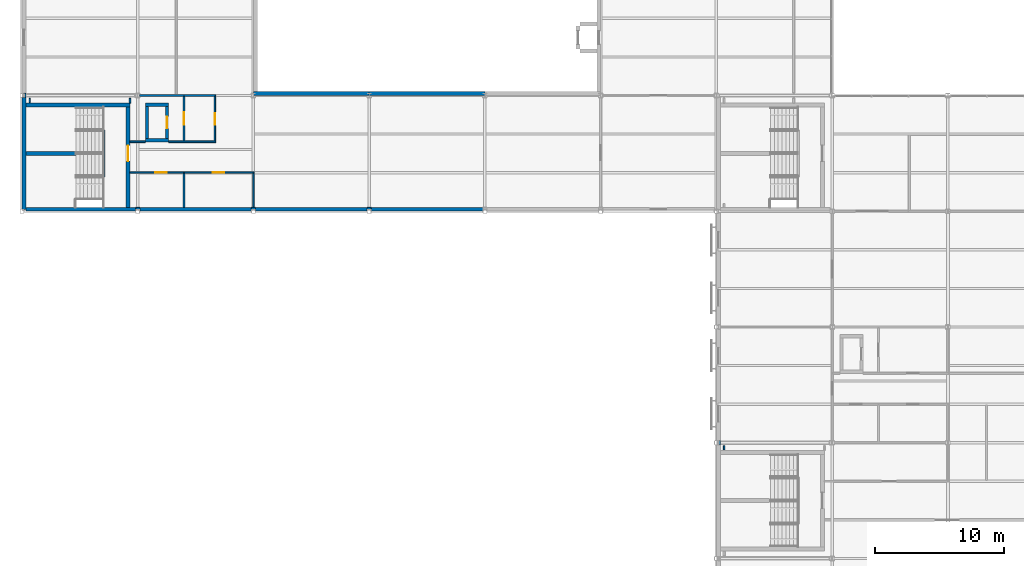
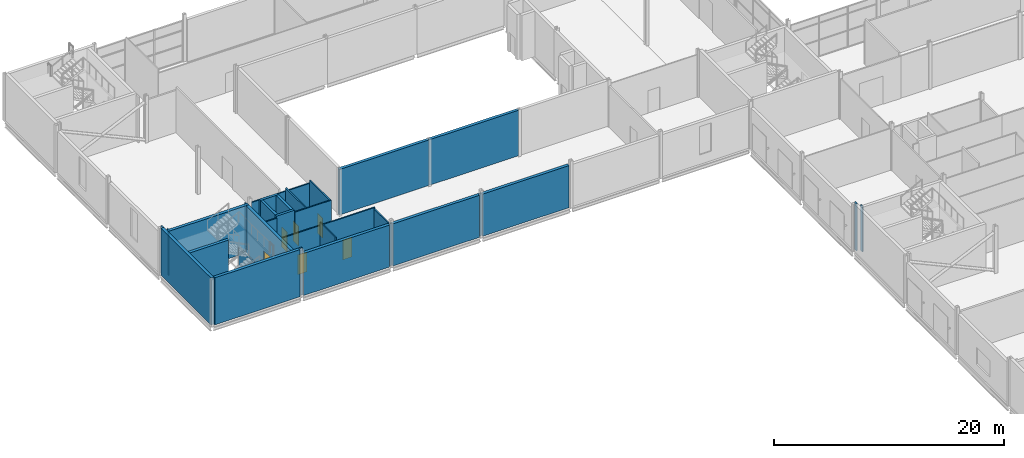
# One storey, part 76 of 112: 31 walls, 6 doors, 6 openings.
"""IFC4 building model written with IfcOpenShell, lengths in metres."""

import ifcopenshell
import ifcopenshell.guid

model = None  # the IFC model being written
_history = None  # IfcOwnerHistory: only IFC2X3 demands one
_inside = {}  # id of a spatial element -> (the spatial element, [elements in it])
_under = {}  # id of a project, library or spatial element -> (it, [spatial elements below it])
_declared = {}  # id of a project -> (the project, [libraries it declares])
_typed = {}  # id of a type object -> (the type object, [elements of that type])
_made_of = {}  # id of a material, layer set ... -> (it, [elements and type objects made of it])


def new_model(schema):
    """Start an empty IFC model of exactly this schema.

    Asked for "IFC4X3", IfcOpenShell would pick the latest addendum, in which some entities
    have other attributes; the version numbers below select the first issue.
    IFC2X3 requires an IfcOwnerHistory on every rooted entity: one is made here for all.
    """
    global model, _history
    if schema == "IFC4X3":
        model = ifcopenshell.file(schema_version=(4, 3, 0, 0))
    else:
        model = ifcopenshell.file(schema=schema)
    _inside.clear()
    _under.clear()
    _declared.clear()
    _typed.clear()
    _made_of.clear()
    _history = None
    if model.schema == "IFC2X3":
        org = make("IfcOrganization", Name="unknown")
        user = make(
            "IfcPersonAndOrganization",
            ThePerson=make("IfcPerson", FamilyName="unknown"),
            TheOrganization=org,
        )
        app = make(
            "IfcApplication",
            ApplicationDeveloper=org,
            Version="unknown",
            ApplicationFullName="unknown",
            ApplicationIdentifier="unknown",
        )
        _history = make(
            "IfcOwnerHistory",
            OwningUser=user,
            OwningApplication=app,
            ChangeAction="ADDED",
            CreationDate=0,
        )
    return model


def make(cls, **values):
    """One entity of the class cls with the attributes given. An attribute that is None is left unset."""
    return model.create_entity(
        cls, **{name: value for name, value in values.items() if value is not None}
    )


def rooted(cls, **values):
    """An entity with a GlobalId (a new one), such as an element, a storey or a relation."""
    return make(cls, GlobalId=ifcopenshell.guid.new(), OwnerHistory=_history, **values)


def si_unit(unit_type, name, prefix=None):
    """IfcSIUnit, for example si_unit("LENGTHUNIT", "METRE", prefix="MILLI")."""
    return make("IfcSIUnit", UnitType=unit_type, Prefix=prefix, Name=name)


def assignment(units):
    """IfcUnitAssignment: the units of a project."""
    return None if units is None else make("IfcUnitAssignment", Units=units)


def point(xyz):
    """IfcCartesianPoint."""
    return None if xyz is None else make("IfcCartesianPoint", Coordinates=xyz)


def direction(xyz):
    """IfcDirection."""
    return None if xyz is None else make("IfcDirection", DirectionRatios=xyz)


def frame(location, z_axis=None, x_axis=None):
    """IfcAxis2Placement3D, a coordinate frame: its origin and axes. An axis left out is left unset."""
    return make(
        "IfcAxis2Placement3D",
        Location=point(location),
        Axis=direction(z_axis),
        RefDirection=direction(x_axis),
    )


def frame_2d(location, x_axis=None):
    """IfcAxis2Placement2D, a coordinate frame in the plane: its origin and x axis."""
    return make(
        "IfcAxis2Placement2D", Location=point(location), RefDirection=direction(x_axis)
    )


def origin():
    """The frame at (0, 0, 0) with its axes left unset."""
    return frame((0.0, 0.0, 0.0))


def place(relative_to, where):
    """IfcLocalPlacement: puts the frame where relative to a parent placement (None: the world)."""
    return make(
        "IfcLocalPlacement", PlacementRelTo=relative_to, RelativePlacement=where
    )


def context(
    kind, dimensions, precision=None, world=None, true_north=None, identifier=None
):
    """IfcGeometricRepresentationContext, for example the 3D "Model" context."""
    return make(
        "IfcGeometricRepresentationContext",
        ContextIdentifier=identifier,
        ContextType=kind,
        CoordinateSpaceDimension=dimensions,
        Precision=precision,
        WorldCoordinateSystem=world,
        TrueNorth=true_north,
    )


def subcontext(parent, identifier, kind, view, scale=None):
    """IfcGeometricRepresentationSubContext, for example "Body" below "Model"."""
    return make(
        "IfcGeometricRepresentationSubContext",
        ContextIdentifier=identifier,
        ContextType=kind,
        ParentContext=parent,
        TargetScale=scale,
        TargetView=view,
    )


def project(units=None, contexts=None):
    """IfcProject with its units and contexts."""
    return rooted(
        "IfcProject",
        Name="project",
        RepresentationContexts=contexts,
        UnitsInContext=assignment(units),
    )


def spatial(cls, under=None, at=None, **own):
    """A site, building, storey or space (cls), placed at a placement, below another one or the project."""
    s = rooted(cls, ObjectPlacement=at, **own)
    if under is not None:
        _under.setdefault(under.id(), (under, []))[1].append(s)
    return s


def profile(cls, at=None, kind="AREA", **sizes):
    """A parametric profile (cls). Its sizes go by their IFC names, for example OverallWidth=200.0."""
    return make(cls, ProfileType=kind, Position=at, **sizes)


def rectangle(**sizes):
    """IfcRectangleProfileDef."""
    return profile("IfcRectangleProfileDef", **sizes)


def extrude(swept, where, along, depth):
    """IfcExtrudedAreaSolid: the profile swept, set in the frame where, extruded along a direction by depth."""
    return make(
        "IfcExtrudedAreaSolid",
        SweptArea=swept,
        Position=where,
        ExtrudedDirection=direction(along),
        Depth=depth,
    )


def shape(context_of_items, identifier, shape_type, items):
    """IfcShapeRepresentation: the items that make up one representation, for example the "Body"."""
    return make(
        "IfcShapeRepresentation",
        ContextOfItems=context_of_items,
        RepresentationIdentifier=identifier,
        RepresentationType=shape_type,
        Items=items,
    )


def material(Name=None, Category=None):
    """IfcMaterial."""
    return make("IfcMaterial", Name=Name, Category=Category)


def layer(
    of_material, thickness, ventilated=None, Name=None, Category=None, Priority=None
):
    """IfcMaterialLayer: one layer of a wall or slab, of a material (None: an air gap)."""
    return make(
        "IfcMaterialLayer",
        Material=of_material,
        LayerThickness=thickness,
        IsVentilated=ventilated,
        Name=Name,
        Category=Category,
        Priority=Priority,
    )


def layer_set(layers, Name=None):
    """IfcMaterialLayerSet."""
    return make("IfcMaterialLayerSet", MaterialLayers=layers, LayerSetName=Name)


def made_of(thing, what):
    """Note that an element or type object is made of a material, layer set ...; save() writes the relation."""
    if what is not None:
        _made_of.setdefault(what.id(), (what, []))[1].append(thing)
    return thing


def type_object(cls, material=None, **own):
    """A type object (cls), such as IfcWallType, which elements share."""
    return made_of(rooted(cls, **own), material)


def element(
    cls,
    number,
    at=None,
    inside=None,
    cuts=None,
    type_object=None,
    material=None,
    context=None,
    identifier="Body",
    shape_type=None,
    held_by="IfcProductDefinitionShape",
    body=None,
    shapes=None,
    **own,
):
    """One element of the class cls, such as IfcWall. Its Tag is "e" and its number.

    at: its placement. inside: the storey or other place that contains it. cuts: it is an
    opening in that element (IfcRelVoidsElement). A single representation is given by context,
    identifier, shape_type and body (its items); several are given by shapes. held_by: the class
    of the entity that holds the representations. save() writes the other relations.
    """
    e = rooted(cls, Tag="e%d" % number, ObjectPlacement=at, **own)
    if body is not None:
        shapes = [shape(context, identifier, shape_type, body)]
    if shapes is not None:
        e.Representation = make(held_by, Representations=shapes)
    if inside is not None:
        _inside.setdefault(inside.id(), (inside, []))[1].append(e)
    if cuts is not None:
        rooted(
            "IfcRelVoidsElement", RelatingBuildingElement=cuts, RelatedOpeningElement=e
        )
    if type_object is not None:
        _typed.setdefault(type_object.id(), (type_object, []))[1].append(e)
    return made_of(e, material)


def fill(opening, filler):
    """IfcRelFillsElement: the door or window that sits in an opening."""
    return rooted(
        "IfcRelFillsElement",
        RelatingOpeningElement=opening,
        RelatedBuildingElement=filler,
    )


def aggregate(whole, parts):
    """IfcRelAggregates: a whole, such as a stair, and the parts it consists of."""
    return rooted("IfcRelAggregates", RelatingObject=whole, RelatedObjects=parts)


def save(model, path):
    """Write the relations noted so far, then the file.

    IfcRelAggregates (storeys below a building ...), IfcRelContainedInSpatialStructure (elements
    in a storey), IfcRelDefinesByType, IfcRelAssociatesMaterial and IfcRelDeclares: one each for
    every whole, place, type object, material and project.
    """
    for whole, parts in _under.values():
        aggregate(whole, parts)
    for where, things in _inside.values():
        rooted(
            "IfcRelContainedInSpatialStructure",
            RelatedElements=things,
            RelatingStructure=where,
        )
    for kind, things in _typed.values():
        rooted("IfcRelDefinesByType", RelatedObjects=things, RelatingType=kind)
    for what, things in _made_of.values():
        rooted("IfcRelAssociatesMaterial", RelatedObjects=things, RelatingMaterial=what)
    for by, libraries in _declared.values():
        rooted("IfcRelDeclares", RelatingContext=by, RelatedDefinitions=libraries)
    model.write(path)


model = new_model("IFC4")

# Units and contexts
model_context = context("Model", 3, precision=1e-05, world=origin(), true_north=direction((0.0, 1.0)))
body_context = subcontext(model_context, "Body", "Model", "MODEL_VIEW")
ifc_project = project(units=[si_unit("LENGTHUNIT", "METRE"), si_unit("AREAUNIT", "SQUARE_METRE"), si_unit("VOLUMEUNIT", "CUBIC_METRE"), si_unit("PLANEANGLEUNIT", "RADIAN"), si_unit("MASSUNIT", "GRAM", prefix="KILO")], contexts=[model_context])

# Site, building, storey
site_placement = place(None, origin())
site = spatial("IfcSite", under=ifc_project, at=site_placement, CompositionType="ELEMENT")
building_placement = place(site_placement, origin())
building = spatial("IfcBuilding", under=site, at=building_placement, Name="Shorebreak Coast Museum", CompositionType="ELEMENT")
storey_placement = place(building_placement, frame((0.0, 0.0, 6.0)))
storey = spatial("IfcBuildingStorey", under=building, at=storey_placement, Name="L01", CompositionType="ELEMENT", Elevation=6.0)

# Walls
ifc_material_1 = material(Name="Concrete N50 (50 MPa)", Category="concrete")
ifc_layer_1 = layer(ifc_material_1, 0.14990234375)
ifc_layer_set_1 = layer_set([ifc_layer_1], Name="Concrete N50 (50 MPa)")
wall_type_1 = type_object("IfcWallType", Name="Column closure panel 150", PredefinedType="SOLIDWALL", material=ifc_layer_set_1)
wall_1_placement = place(storey_placement, frame((8.85009765625, 54.22509765625, 0.0), z_axis=(0.0, 0.0, 1.0), x_axis=(1.0, 0.0, 0.0)))
element("IfcWall", 1, at=wall_1_placement, inside=storey, type_object=wall_type_1, Name="Column closure panel L01 S 2G", PredefinedType="SOLIDWALL", context=body_context, shape_type="SweptSolid", body=[
    extrude(rectangle(XDim=0.322021484375, YDim=0.14990234375, at=frame_2d((0.1611328125, 0.0))), origin(), (0.0, 0.0, 1.0), 5.0),
])
for number, where, z_axis, x_axis, name in (
    (2, (17.839111328125, 54.22509765625, 0.0), (0.0, 0.0, 1.0), (1.0, 0.0, 0.0), "Column closure panel L01 S 3G"),
    (3, (26.839111328125, 54.22509765625, 0.0), (0.0, 0.0, 1.0), (1.0, 0.0, 0.0), "Column closure panel L01 S 4G"),
):
    element("IfcWall", number, at=place(storey_placement, frame(where, z_axis=z_axis, x_axis=x_axis)), inside=storey, type_object=wall_type_1, Name=name, PredefinedType="SOLIDWALL", context=body_context, shape_type="SweptSolid", body=[
        extrude(rectangle(XDim=0.32177734375, YDim=0.14990234375, at=frame_2d((0.160888671875, 0.0))), origin(), (0.0, 0.0, 1.0), 4.469482421875),
    ])
for number, where, z_axis, x_axis, name in (
    (4, (0.22509765625, 62.85009765625, 0.0), (0.0, 0.0, 1.0), (0.0, 1.0, 0.0), "Column closure panel L01 W 1H"),
    (5, (54.22509765625, 35.85009765625, 0.0), (0.0, 0.0, 1.0), (0.0, 1.0, 0.0), "Column closure panel L01 W 7E"),
):
    element("IfcWall", number, at=place(storey_placement, frame(where, z_axis=z_axis, x_axis=x_axis)), inside=storey, type_object=wall_type_1, Name=name, PredefinedType="SOLIDWALL", context=body_context, shape_type="SweptSolid", body=[
        extrude(rectangle(XDim=0.322021484375, YDim=0.14990234375, at=frame_2d((0.1611328125, 0.0))), origin(), (0.0, 0.0, 1.0), 5.0),
    ])
ifc_material_2 = material(Name="Plasterboard on steel stud", Category="steel")
ifc_layer_2 = layer(ifc_material_2, 0.10009765625)
ifc_layer_set_2 = layer_set([ifc_layer_2], Name="Plasterboard on steel stud")
wall_type_2 = type_object("IfcWallType", Name="Partition 100", PredefinedType="PARTITIONING", material=ifc_layer_set_2)
for number, where, z_axis, x_axis, name in (
    (6, (0.60009765625, 62.449951171875, 0.0), (0.0, 0.0, 1.0), (0.0, 1.0, 0.0), "Partition L01-085"),
    (7, (54.60009765625, 35.449951171875, 0.0), (0.0, 0.0, 1.0), (0.0, 1.0, 0.0), "Partition L01-100"),
):
    element("IfcWall", number, at=place(storey_placement, frame(where, z_axis=z_axis, x_axis=x_axis)), inside=storey, type_object=wall_type_2, Name=name, PredefinedType="PARTITIONING", context=body_context, shape_type="SweptSolid", body=[
        extrude(rectangle(XDim=0.330078125, YDim=0.10009765625, at=frame_2d((0.1650390625, 0.0))), origin(), (0.0, 0.0, 1.0), 4.824951171875),
    ])

# Wall, openings, doors
ifc_material_3 = material(Name="Plasterboard on steel stud", Category="steel")
ifc_layer_3 = layer(ifc_material_3, 0.125)
ifc_layer_set_3 = layer_set([ifc_layer_3], Name="Plasterboard on steel stud")
wall_type_3 = type_object("IfcWallType", Name="Partition 125", PredefinedType="PARTITIONING", material=ifc_layer_set_3)
wall_2_placement = place(storey_placement, frame((8.39990234375, 57.0, 0.0), z_axis=(0.0, 0.0, 1.0), x_axis=(1.0, 0.0, 0.0)))
wall_2 = element("IfcWall", 8, at=wall_2_placement, inside=storey, type_object=wall_type_3, Name="Partition L01-035", PredefinedType="PARTITIONING", context=body_context, shape_type="SweptSolid", body=[
    extrude(rectangle(XDim=9.66259765625, YDim=0.125, at=frame_2d((4.831298828125, 0.0))), origin(), (0.0, 0.0, 1.0), 4.469482421875),
])
opening_1_placement = place(wall_2_placement, frame((1.949951171875, 0.0, 0.0)))
opening_1 = element("IfcOpeningElement", 9, at=opening_1_placement, cuts=wall_2, Name="Opening D1045", PredefinedType="OPENING", context=body_context, shape_type="SweptSolid", body=[
    extrude(rectangle(XDim=0.89990234375, YDim=2.10009765625, at=frame_2d((0.449951171875, 1.050048828125))), frame((0.0, 0.072509765625, 0.0), z_axis=(0.0, -1.0, 0.0), x_axis=(1.0, 0.0, 0.0)), (0.0, 0.0, 1.0), 0.14501953125),
])
opening_2_placement = place(wall_2_placement, frame((6.449951171875, 0.0, 0.0)))
opening_2 = element("IfcOpeningElement", 10, at=opening_2_placement, cuts=wall_2, Name="Opening D1046", PredefinedType="OPENING", context=body_context, shape_type="SweptSolid", body=[
    extrude(rectangle(XDim=0.89990234375, YDim=2.10009765625, at=frame_2d((0.449951171875, 1.050048828125))), frame((0.0, 0.072509765625, 0.0), z_axis=(0.0, -1.0, 0.0), x_axis=(1.0, 0.0, 0.0)), (0.0, 0.0, 1.0), 0.14501953125),
])
ifc_material_4 = material(Name="Timber", Category="wood")
door_type_1 = type_object("IfcDoorType", Name="Interior door 900x2100", OperationType="SINGLE_SWING_LEFT", PredefinedType="DOOR", material=ifc_material_4)
door_1_placement = place(opening_1_placement, origin())
door_1 = element("IfcDoor", 11, at=door_1_placement, inside=storey, type_object=door_type_1, Name="Door D1045 Accessible WC W", OperationType="SINGLE_SWING_RIGHT", OverallHeight=2.10009765625, OverallWidth=0.89990234375, PredefinedType="DOOR", context=body_context, shape_type="SweptSolid", body=[
    extrude(rectangle(XDim=0.89990234375, YDim=2.10009765625, at=frame_2d((0.449951171875, 1.050048828125))), frame((0.0, 0.02490234375, 0.0), z_axis=(0.0, -1.0, 0.0), x_axis=(1.0, 0.0, 0.0)), (0.0, 0.0, 1.0), 0.050048828125),
])
fill(opening_1, door_1)
door_2_placement = place(opening_2_placement, origin())
door_2 = element("IfcDoor", 12, at=door_2_placement, inside=storey, type_object=door_type_1, Name="Door D1046 Male WC W", OperationType="SINGLE_SWING_RIGHT", OverallHeight=2.10009765625, OverallWidth=0.89990234375, PredefinedType="DOOR", context=body_context, shape_type="SweptSolid", body=[
    extrude(rectangle(XDim=0.89990234375, YDim=2.10009765625, at=frame_2d((0.449951171875, 1.050048828125))), frame((0.0, 0.02490234375, 0.0), z_axis=(0.0, -1.0, 0.0), x_axis=(1.0, 0.0, 0.0)), (0.0, 0.0, 1.0), 0.050048828125),
])
fill(opening_2, door_2)

# Walls
wall_3_placement = place(storey_placement, frame((8.39990234375, 59.39990234375, 0.0), z_axis=(0.0, 0.0, 1.0), x_axis=(1.0, 0.0, 0.0)))
element("IfcWall", 13, at=wall_3_placement, inside=storey, type_object=wall_type_3, Name="Partition L01-037", PredefinedType="PARTITIONING", context=body_context, shape_type="SweptSolid", body=[
    extrude(rectangle(XDim=1.2001953125, YDim=0.125, at=frame_2d((0.60009765625, 0.0))), origin(), (0.0, 0.0, 1.0), 4.824951171875),
])
wall_4_placement = place(storey_placement, frame((11.39990234375, 59.39990234375, 0.0), z_axis=(0.0, 0.0, 1.0), x_axis=(1.0, 0.0, 0.0)))
element("IfcWall", 14, at=wall_4_placement, inside=storey, type_object=wall_type_3, Name="Partition L01-038", PredefinedType="PARTITIONING", context=body_context, shape_type="SweptSolid", body=[
    extrude(rectangle(XDim=3.66259765625, YDim=0.125, at=frame_2d((1.831298828125, 0.0))), origin(), (0.0, 0.0, 1.0), 4.824951171875),
])
wall_5_placement = place(storey_placement, frame((9.154541015625, 63.0, 0.0), z_axis=(0.0, 0.0, 1.0), x_axis=(1.0, 0.0, 0.0)))
element("IfcWall", 15, at=wall_5_placement, inside=storey, type_object=wall_type_3, Name="Partition L01-042", PredefinedType="PARTITIONING", context=body_context, shape_type="SweptSolid", body=[
    extrude(rectangle(XDim=5.907958984375, YDim=0.125, at=frame_2d((2.9541015625, 0.0))), origin(), (0.0, 0.0, 1.0), 4.469482421875),
])
wall_6_placement = place(storey_placement, frame((8.39990234375, 62.39990234375, 0.0), z_axis=(0.0, 0.0, 1.0), x_axis=(0.0, 1.0, 0.0)))
element("IfcWall", 16, at=wall_6_placement, inside=storey, type_object=wall_type_3, Name="Partition L01-087", PredefinedType="PARTITIONING", context=body_context, shape_type="SweptSolid", body=[
    extrude(rectangle(XDim=0.380126953125, YDim=0.125, at=frame_2d((0.18994140625, 0.0))), origin(), (0.0, 0.0, 1.0), 4.824951171875),
])
wall_7_placement = place(storey_placement, frame((12.60009765625, 54.300048828125, 0.0), z_axis=(0.0, 0.0, 1.0), x_axis=(0.0, 1.0, 0.0)))
element("IfcWall", 17, at=wall_7_placement, inside=storey, type_object=wall_type_3, Name="Partition L01-091", PredefinedType="PARTITIONING", context=body_context, shape_type="SweptSolid", body=[
    extrude(rectangle(XDim=2.637451171875, YDim=0.125, at=frame_2d((1.31884765625, 0.0))), origin(), (0.0, 0.0, 1.0), 4.824951171875),
])

# Wall, opening, door
wall_8_placement = place(storey_placement, frame((12.60009765625, 59.46240234375, 0.0), z_axis=(0.0, 0.0, 1.0), x_axis=(0.0, 1.0, 0.0)))
wall_8 = element("IfcWall", 18, at=wall_8_placement, inside=storey, type_object=wall_type_3, Name="Partition L01-092", PredefinedType="PARTITIONING", context=body_context, shape_type="SweptSolid", body=[
    extrude(rectangle(XDim=3.47509765625, YDim=0.125, at=frame_2d((1.737548828125, 0.0))), origin(), (0.0, 0.0, 1.0), 4.824951171875),
])
opening_3_placement = place(wall_8_placement, frame((1.25, 0.0, 0.0)))
opening_3 = element("IfcOpeningElement", 19, at=opening_3_placement, cuts=wall_8, Name="Opening D1043", PredefinedType="OPENING", context=body_context, shape_type="SweptSolid", body=[
    extrude(rectangle(XDim=1.0, YDim=2.10009765625, at=frame_2d((0.5, 1.050048828125))), frame((0.0, 0.072509765625, 0.0), z_axis=(0.0, -1.0, 0.0), x_axis=(1.0, 0.0, 0.0)), (0.0, 0.0, 1.0), 0.14501953125),
])
ifc_material_5 = material(Name="Timber", Category="wood")
door_type_2 = type_object("IfcDoorType", Name="Interior door 1000x2100", OperationType="SINGLE_SWING_LEFT", PredefinedType="DOOR", material=ifc_material_5)
door_3_placement = place(opening_3_placement, origin())
door_3 = element("IfcDoor", 20, at=door_3_placement, inside=storey, type_object=door_type_2, Name="Door D1043 Cleaner Store W", OperationType="SINGLE_SWING_LEFT", OverallHeight=2.10009765625, OverallWidth=1.0, PredefinedType="DOOR", context=body_context, shape_type="SweptSolid", body=[
    extrude(rectangle(XDim=1.0, YDim=2.10009765625, at=frame_2d((0.5, 1.050048828125))), frame((0.0, 0.02490234375, 0.0), z_axis=(0.0, -1.0, 0.0), x_axis=(1.0, 0.0, 0.0)), (0.0, 0.0, 1.0), 0.050048828125),
])
fill(opening_3, door_3)

wall_9_placement = place(storey_placement, frame((15.0, 59.46240234375, 0.0), z_axis=(0.0, 0.0, 1.0), x_axis=(0.0, 1.0, 0.0)))
wall_9 = element("IfcWall", 21, at=wall_9_placement, inside=storey, type_object=wall_type_3, Name="Partition L01-093", PredefinedType="PARTITIONING", context=body_context, shape_type="SweptSolid", body=[
    extrude(rectangle(XDim=3.47509765625, YDim=0.125, at=frame_2d((1.737548828125, 0.0))), origin(), (0.0, 0.0, 1.0), 4.824951171875),
])
opening_4_placement = place(wall_9_placement, frame((1.25, 0.0, 0.0)))
opening_4 = element("IfcOpeningElement", 22, at=opening_4_placement, cuts=wall_9, Name="Opening D1044", PredefinedType="OPENING", context=body_context, shape_type="SweptSolid", body=[
    extrude(rectangle(XDim=0.89990234375, YDim=2.10009765625, at=frame_2d((0.449951171875, 1.050048828125))), frame((0.0, 0.072509765625, 0.0), z_axis=(0.0, -1.0, 0.0), x_axis=(1.0, 0.0, 0.0)), (0.0, 0.0, 1.0), 0.14501953125),
])
door_4_placement = place(opening_4_placement, origin())
door_4 = element("IfcDoor", 23, at=door_4_placement, inside=storey, type_object=door_type_1, Name="Door D1044 Female WC W", OperationType="SINGLE_SWING_RIGHT", OverallHeight=2.10009765625, OverallWidth=0.89990234375, PredefinedType="DOOR", context=body_context, shape_type="SweptSolid", body=[
    extrude(rectangle(XDim=0.89990234375, YDim=2.10009765625, at=frame_2d((0.449951171875, 1.050048828125))), frame((0.0, 0.02490234375, 0.0), z_axis=(0.0, -1.0, 0.0), x_axis=(1.0, 0.0, 0.0)), (0.0, 0.0, 1.0), 0.050048828125),
])
fill(opening_4, door_4)

# Walls
wall_10_placement = place(storey_placement, frame((18.0, 54.300048828125, 0.0), z_axis=(0.0, 0.0, 1.0), x_axis=(0.0, 1.0, 0.0)))
element("IfcWall", 24, at=wall_10_placement, inside=storey, type_object=wall_type_3, Name="Partition L01-094", PredefinedType="PARTITIONING", context=body_context, shape_type="SweptSolid", body=[
    extrude(rectangle(XDim=2.637451171875, YDim=0.125, at=frame_2d((1.31884765625, 0.0))), origin(), (0.0, 0.0, 1.0), 4.364501953125),
])
ifc_material_6 = material(Name="Concrete N50 (50 MPa)", Category="concrete")
ifc_layer_4 = layer(ifc_material_6, 0.300048828125)
ifc_layer_set_4 = layer_set([ifc_layer_4], Name="Concrete N50 (50 MPa)")
wall_type_4 = type_object("IfcWallType", Name="Precast board-marked panel 300", PredefinedType="SOLIDWALL", material=ifc_layer_set_4)
wall_11_placement = place(storey_placement, frame((9.172119140625, 54.14990234375, 0.0), z_axis=(0.0, 0.0, 1.0), x_axis=(1.0, 0.0, 0.0)))
element("IfcWall", 25, at=wall_11_placement, inside=storey, type_object=wall_type_4, Name="External wall L01 S 2G", PredefinedType="SOLIDWALL", context=body_context, shape_type="SweptSolid", body=[
    extrude(rectangle(XDim=8.6669921875, YDim=0.300048828125, at=frame_2d((4.33349609375, 0.0))), origin(), (0.0, 0.0, 1.0), 4.469482421875),
])
for number, where, z_axis, x_axis, name in (
    (26, (18.160888671875, 54.14990234375, 0.0), (0.0, 0.0, 1.0), (1.0, 0.0, 0.0), "External wall L01 S 3G"),
    (27, (27.160888671875, 54.14990234375, 0.0), (0.0, 0.0, 1.0), (1.0, 0.0, 0.0), "External wall L01 S 4G"),
):
    element("IfcWall", number, at=place(storey_placement, frame(where, z_axis=z_axis, x_axis=x_axis)), inside=storey, type_object=wall_type_4, Name=name, PredefinedType="SOLIDWALL", context=body_context, shape_type="SweptSolid", body=[
        extrude(rectangle(XDim=8.67822265625, YDim=0.300048828125, at=frame_2d((4.339111328125, 0.0))), origin(), (0.0, 0.0, 1.0), 4.469482421875),
    ])
ifc_material_7 = material(Name="Concrete N50 (50 MPa)", Category="concrete")
ifc_layer_5 = layer(ifc_material_7, 0.25)
ifc_layer_set_5 = layer_set([ifc_layer_5], Name="Concrete N50 (50 MPa)")
wall_type_5 = type_object("IfcWallType", Name="RC riser wall 250", PredefinedType="STANDARD", material=ifc_layer_set_5)
for number, where, z_axis, x_axis, name in (
    (28, (9.60009765625, 59.52490234375, 0.0), (0.0, 0.0, 1.0), (1.0, 0.0, 0.0), "Riser wall R-WC-W L01 S"),
    (29, (9.60009765625, 62.27490234375, 0.0), (0.0, 0.0, 1.0), (1.0, 0.0, 0.0), "Riser wall R-WC-W L01 N"),
):
    element("IfcWall", number, at=place(storey_placement, frame(where, z_axis=z_axis, x_axis=x_axis)), inside=storey, type_object=wall_type_5, Name=name, PredefinedType="STANDARD", context=body_context, shape_type="SweptSolid", body=[
        extrude(rectangle(XDim=1.7998046875, YDim=0.25, at=frame_2d((0.89990234375, 0.0))), origin(), (0.0, 0.0, 1.0), 5.0),
    ])
wall_12_placement = place(storey_placement, frame((9.72509765625, 59.64990234375, 0.0), z_axis=(0.0, 0.0, 1.0), x_axis=(0.0, 1.0, 0.0)))
element("IfcWall", 30, at=wall_12_placement, inside=storey, type_object=wall_type_5, Name="Riser wall R-WC-W L01 W", PredefinedType="STANDARD", context=body_context, shape_type="SweptSolid", body=[
    extrude(rectangle(XDim=2.5, YDim=0.25, at=frame_2d((1.25, 0.0))), origin(), (0.0, 0.0, 1.0), 5.0),
])

# Wall, opening, door
wall_13_placement = place(storey_placement, frame((11.27490234375, 59.64990234375, 0.0), z_axis=(0.0, 0.0, 1.0), x_axis=(0.0, 1.0, 0.0)))
wall_13 = element("IfcWall", 31, at=wall_13_placement, inside=storey, type_object=wall_type_5, Name="Riser wall R-WC-W L01 E", PredefinedType="STANDARD", context=body_context, shape_type="SweptSolid", body=[
    extrude(rectangle(XDim=2.5, YDim=0.25, at=frame_2d((1.25, 0.0))), origin(), (0.0, 0.0, 1.0), 5.0),
])
opening_5_placement = place(wall_13_placement, frame((0.800048828125, 0.0, 0.0)))
opening_5 = element("IfcOpeningElement", 32, at=opening_5_placement, cuts=wall_13, Name="Opening D1603", PredefinedType="OPENING", context=body_context, shape_type="SweptSolid", body=[
    extrude(rectangle(XDim=0.89990234375, YDim=2.10009765625, at=frame_2d((0.449951171875, 1.050048828125))), frame((0.0, 0.135009765625, 0.0), z_axis=(0.0, -1.0, 0.0), x_axis=(1.0, 0.0, 0.0)), (0.0, 0.0, 1.0), 0.27001953125),
])
ifc_material_8 = material(Name="Steel Grade 300", Category="steel")
door_type_3 = type_object("IfcDoorType", Name="Riser door 900x2100", OperationType="SINGLE_SWING_LEFT", PredefinedType="DOOR", material=ifc_material_8)
door_5_placement = place(opening_5_placement, origin())
door_5 = element("IfcDoor", 33, at=door_5_placement, inside=storey, type_object=door_type_3, Name="Riser door R-WC-W L01", OperationType="SINGLE_SWING_RIGHT", OverallHeight=2.10009765625, OverallWidth=0.89990234375, PredefinedType="DOOR", context=body_context, shape_type="SweptSolid", body=[
    extrude(rectangle(XDim=0.89990234375, YDim=2.10009765625, at=frame_2d((0.449951171875, 1.050048828125))), frame((0.0, 0.02490234375, 0.0), z_axis=(0.0, -1.0, 0.0), x_axis=(1.0, 0.0, 0.0)), (0.0, 0.0, 1.0), 0.050048828125),
])
fill(opening_5, door_5)

# Walls
ifc_material_9 = material(Name="Concrete N50 (50 MPa)", Category="concrete")
ifc_layer_6 = layer(ifc_material_9, 0.300048828125)
ifc_layer_set_6 = layer_set([ifc_layer_6], Name="Concrete N50 (50 MPa)")
wall_type_6 = type_object("IfcWallType", Name="RC wall 300", PredefinedType="SHEAR", material=ifc_layer_set_6)
wall_14_placement = place(storey_placement, frame((0.300048828125, 54.14990234375, 0.0), z_axis=(0.0, 0.0, 1.0), x_axis=(1.0, 0.0, 0.0)))
element("IfcWall", 34, at=wall_14_placement, inside=storey, type_object=wall_type_6, Name="Stair core wall ST05 L01 S", PredefinedType="SHEAR", context=body_context, shape_type="SweptSolid", body=[
    extrude(rectangle(XDim=8.550048828125, YDim=0.300048828125, at=frame_2d((4.27490234375, 0.0))), origin(), (0.0, 0.0, 1.0), 5.0),
])
wall_15_placement = place(storey_placement, frame((0.300048828125, 62.25, 0.0), z_axis=(0.0, 0.0, 1.0), x_axis=(1.0, 0.0, 0.0)))
element("IfcWall", 35, at=wall_15_placement, inside=storey, type_object=wall_type_6, Name="Stair core wall ST05 L01 N", PredefinedType="SHEAR", context=body_context, shape_type="SweptSolid", body=[
    extrude(rectangle(XDim=8.099853515625, YDim=0.300048828125, at=frame_2d((4.0498046875, 0.0))), origin(), (0.0, 0.0, 1.0), 5.0),
])
wall_16_placement = place(storey_placement, frame((0.14990234375, 54.14990234375, 0.0), z_axis=(0.0, 0.0, 1.0), x_axis=(0.0, 1.0, 0.0)))
element("IfcWall", 36, at=wall_16_placement, inside=storey, type_object=wall_type_6, Name="Stair core wall ST05 L01 W", PredefinedType="SHEAR", context=body_context, shape_type="SweptSolid", body=[
    extrude(rectangle(XDim=8.7001953125, YDim=0.300048828125, at=frame_2d((4.35009765625, 0.0))), origin(), (0.0, 0.0, 1.0), 5.0),
])

# Wall, opening, door
wall_17_placement = place(storey_placement, frame((8.25, 54.300048828125, 0.0), z_axis=(0.0, 0.0, 1.0), x_axis=(0.0, 1.0, 0.0)))
wall_17 = element("IfcWall", 37, at=wall_17_placement, inside=storey, type_object=wall_type_6, Name="Stair core wall ST05 L01 E", PredefinedType="SHEAR", context=body_context, shape_type="SweptSolid", body=[
    extrude(rectangle(XDim=7.800048828125, YDim=0.300048828125, at=frame_2d((3.89990234375, 0.0))), origin(), (0.0, 0.0, 1.0), 5.0),
])
opening_6_placement = place(wall_17_placement, frame((3.60009765625, 0.0, 0.0)))
opening_6 = element("IfcOpeningElement", 38, at=opening_6_placement, cuts=wall_17, Name="Opening D1805", PredefinedType="OPENING", context=body_context, shape_type="SweptSolid", body=[
    extrude(rectangle(XDim=1.199951171875, YDim=2.10009765625, at=frame_2d((0.60009765625, 1.050048828125))), frame((0.0, 0.159912109375, 0.0), z_axis=(0.0, -1.0, 0.0), x_axis=(1.0, 0.0, 0.0)), (0.0, 0.0, 1.0), 0.320068359375),
])
ifc_material_10 = material(Name="Steel Grade 300", Category="steel")
door_type_4 = type_object("IfcDoorType", Name="Fire door 1200x2100", OperationType="SINGLE_SWING_LEFT", PredefinedType="DOOR", material=ifc_material_10)
door_6_placement = place(opening_6_placement, origin())
door_6 = element("IfcDoor", 39, at=door_6_placement, inside=storey, type_object=door_type_4, Name="Stair door ST05 L01", OperationType="SINGLE_SWING_LEFT", OverallHeight=2.10009765625, OverallWidth=1.199951171875, PredefinedType="DOOR", context=body_context, shape_type="SweptSolid", body=[
    extrude(rectangle(XDim=1.199951171875, YDim=2.10009765625, at=frame_2d((0.60009765625, 1.050048828125))), frame((0.0, 0.02490234375, 0.0), z_axis=(0.0, -1.0, 0.0), x_axis=(1.0, 0.0, 0.0)), (0.0, 0.0, 1.0), 0.050048828125),
])
fill(opening_6, door_6)

# Walls
wall_18_placement = place(storey_placement, frame((4.199951171875, 58.5, 0.0), z_axis=(0.0, 0.0, 1.0), x_axis=(-1.0, 0.0, 0.0)))
element("IfcWall", 40, at=wall_18_placement, inside=storey, type_object=wall_type_6, Name="Stair spine wall ST05 L01", PredefinedType="SHEAR", context=body_context, shape_type="SweptSolid", body=[
    extrude(rectangle(XDim=3.89990234375, YDim=0.300048828125, at=frame_2d((1.949951171875, 0.0))), origin(), (0.0, 0.0, 1.0), 5.0),
])
for number, where, z_axis, x_axis, name in (
    (41, (18.0, 63.14990234375, 0.0), (0.0, 0.0, 1.0), (1.0, 0.0, 0.0), "Auditorium wall L01 S1"),
    (42, (27.0, 63.14990234375, 0.0), (0.0, 0.0, 1.0), (1.0, 0.0, 0.0), "Auditorium wall L01 S2"),
):
    element("IfcWall", number, at=place(storey_placement, frame(where, z_axis=z_axis, x_axis=x_axis)), inside=storey, type_object=wall_type_6, Name=name, PredefinedType="SHEAR", context=body_context, shape_type="SweptSolid", body=[
        extrude(rectangle(XDim=9.0, YDim=0.300048828125, at=frame_2d((4.5, 0.0))), origin(), (0.0, 0.0, 1.0), 4.824951171875),
    ])
ifc_material_11 = material(Name="Concrete N50 (50 MPa)", Category="concrete")
ifc_layer_7 = layer(ifc_material_11, 0.14990234375)
ifc_layer_set_7 = layer_set([ifc_layer_7], Name="Concrete N50 (50 MPa)")
wall_type_7 = type_object("IfcWallType", Name="Understair wall 150", PredefinedType="STANDARD", material=ifc_layer_set_7)
wall_19_placement = place(storey_placement, frame((6.375, 56.699951171875, 0.0), z_axis=(0.0, 0.0, 1.0), x_axis=(0.0, 1.0, 0.0)))
element("IfcWall", 43, at=wall_19_placement, inside=storey, type_object=wall_type_7, Name="Understair wall ST05 L01 floor", PredefinedType="STANDARD", context=body_context, shape_type="SweptSolid", body=[
    extrude(rectangle(XDim=3.60009765625, YDim=0.14990234375, at=frame_2d((1.800048828125, 0.0))), origin(), (0.0, 0.0, 1.0), 2.300048828125),
])

save(model, "model.ifc")
